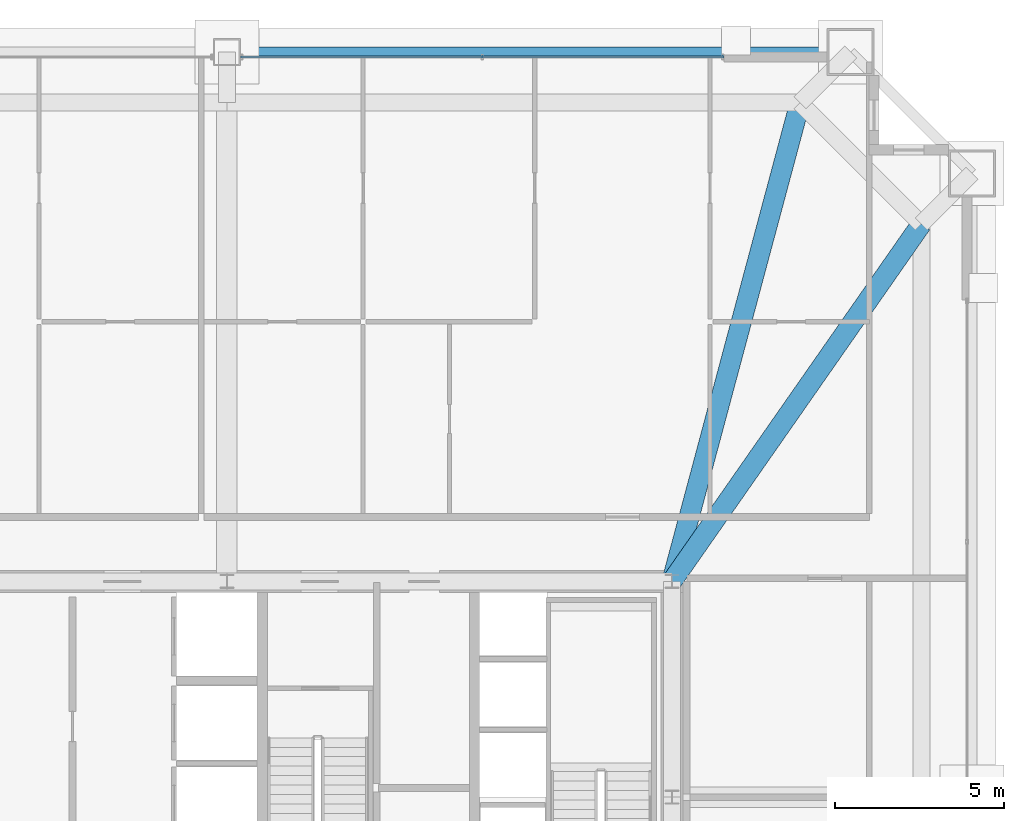
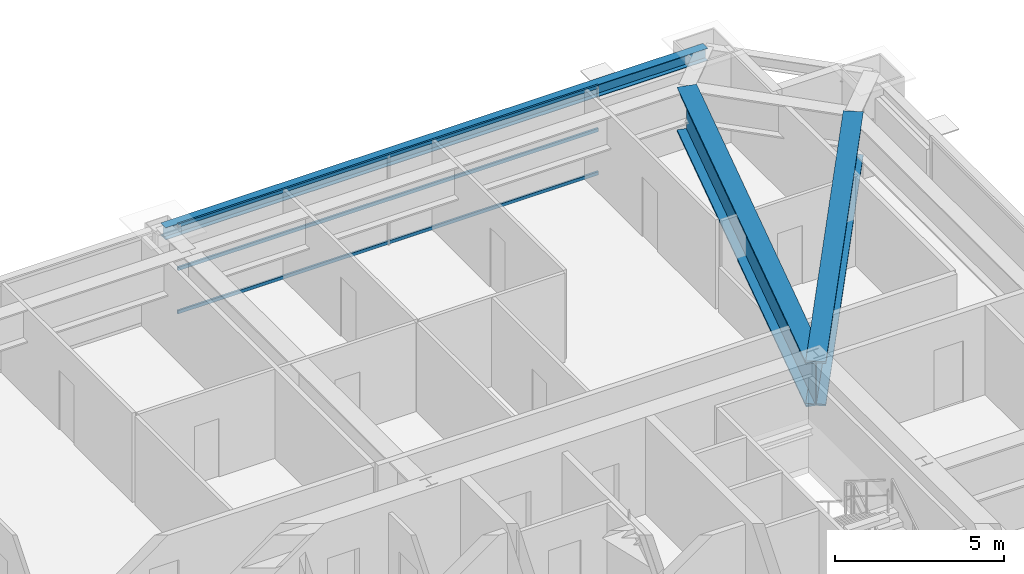
# One storey, part 31 of 39: 3 beams, 3 members, 1 element without a shape of its own.
"""IFC4 building model written with IfcOpenShell, lengths in metres."""

from ifc_helpers import new_model, si_unit, direction, frame, origin, origin_2d, place, context, subcontext, project, spatial, hollow_rectangle, i_section, extrude, source, transform, mapped, material, layer, layer_set, material_profile, profile_set, type_object, element, aggregate, save


model = new_model("IFC4")

# Units and contexts
model_context = context("Model", 3, precision=1e-05, world=origin(), true_north=direction((0.0, 1.0)))
body_context = subcontext(model_context, "Body", "Model", "MODEL_VIEW")
ifc_project = project(units=[si_unit("LENGTHUNIT", "METRE"), si_unit("AREAUNIT", "SQUARE_METRE"), si_unit("VOLUMEUNIT", "CUBIC_METRE"), si_unit("PLANEANGLEUNIT", "RADIAN"), si_unit("MASSUNIT", "GRAM", prefix="KILO"), si_unit("THERMODYNAMICTEMPERATUREUNIT", "KELVIN"), si_unit("POWERUNIT", "WATT")], contexts=[model_context])

# Site, building, storey
site_placement = place(None, origin())
site = spatial("IfcSite", under=ifc_project, at=site_placement, CompositionType="ELEMENT")
building_placement = place(site_placement, origin())
building = spatial("IfcBuilding", under=site, at=building_placement, Name="Yuzanri Waterfront Tower", CompositionType="ELEMENT")
storey_placement = place(building_placement, frame((0.0, 0.0, 216.0)))
storey = spatial("IfcBuildingStorey", under=building, at=storey_placement, Name="L57", CompositionType="ELEMENT", Elevation=216.0)

# Beams
ifc_material_1 = material(Name="Steel Q355B", Category="steel")
ifc_material_profile_1 = material_profile(ifc_material_1, i_section(OverallWidth=0.300048828125, OverallDepth=0.43994140625, WebThickness=0.010986328125, FlangeThickness=0.01806640625, at=origin_2d()), Name="HM 440x300x11x18")
ifc_profile_set_1 = profile_set([ifc_material_profile_1], Name="Steel Q355B")
beam_type_1 = type_object("IfcBeamType", Name="Perimeter Spandrel Q355B HM 440x300", PredefinedType="SPANDREL", material=ifc_profile_set_1)
shared_shape_1 = source(origin(), body_context, "Body", "SweptSolid", [
    extrude(i_section(OverallWidth=0.300048828125, OverallDepth=0.43994140625, WebThickness=0.010986328125, FlangeThickness=0.01806640625, at=origin_2d()), origin(), (0.0, 0.0, 1.0), 18.5),
])
beam_1_placement = place(storey_placement, frame((55.5, 47.89990234375, 3.0), z_axis=(-1.0, 0.0, 0.0), x_axis=(0.0, -1.0, 0.0)))
element("IfcBeam", 1, at=beam_1_placement, inside=storey, type_object=beam_type_1, Name="L57 Perimeter Spandrel N3-N2", PredefinedType="SPANDREL", context=body_context, shape_type="MappedRepresentation", body=[
    mapped(shared_shape_1, transform((0.0, 0.0, 0.0), scale=1.0)),
])
ifc_material_2 = material(Name="Steel Q420GJC", Category="steel")
ifc_material_profile_2 = material_profile(ifc_material_2, i_section(OverallWidth=0.60009765625, OverallDepth=1.60009765625, WebThickness=0.031982421875, FlangeThickness=0.06005859375, at=origin_2d()), Name="PG 1600x600x32x60")
ifc_profile_set_2 = profile_set([ifc_material_profile_2], Name="Steel Q420GJC")
beam_type_2 = type_object("IfcBeamType", Name="Ballroom Transfer Girder Q420GJC PG 1600x600", PredefinedType="USERDEFINED", material=ifc_profile_set_2)
shared_shape_2 = source(origin(), body_context, "Body", "SweptSolid", [
    extrude(i_section(OverallWidth=0.60009765625, OverallDepth=1.60009765625, WebThickness=0.031982421875, FlangeThickness=0.06005859375, at=origin_2d()), origin(), (0.0, 0.0, 1.0), 14.69970703125),
])
beam_2_placement = place(storey_placement, frame((50.199951171875, 32.199951171875, 2.419921875), z_axis=(0.258513312202, 0.966007695318, 0.0), x_axis=(-0.966007695318, 0.258513312202, 0.0)))
element("IfcBeam", 2, at=beam_2_placement, inside=storey, type_object=beam_type_2, Name="L57 Setback Inner Transfer N3", ObjectType="GIRDER", PredefinedType="USERDEFINED", context=body_context, shape_type="MappedRepresentation", body=[
    mapped(shared_shape_2, transform((0.0, 0.0, 0.0), scale=1.0)),
])
shared_shape_3 = source(origin(), body_context, "Body", "SweptSolid", [
    extrude(i_section(OverallWidth=0.60009765625, OverallDepth=1.60009765625, WebThickness=0.031982421875, FlangeThickness=0.06005859375, at=origin_2d()), origin(), (0.0, 0.0, 1.0), 12.927734375),
])
beam_3_placement = place(storey_placement, frame((50.199951171875, 32.199951171875, 2.419921875), z_axis=(0.572427640484, 0.819955240492, 0.0), x_axis=(-0.819955240492, 0.572427640484, 0.0)))
element("IfcBeam", 3, at=beam_3_placement, inside=storey, type_object=beam_type_2, Name="L57 Setback Inner Transfer E3", ObjectType="GIRDER", PredefinedType="USERDEFINED", context=body_context, shape_type="MappedRepresentation", body=[
    mapped(shared_shape_3, transform((0.0, 0.0, 0.0), scale=1.0)),
])

# Curtain wall, members
ifc_material_3 = material(Name="Anodized Architectural Bronze", Category="metal")
ifc_layer = layer(ifc_material_3, 0.159912109375)
ifc_layer_set = layer_set([ifc_layer], Name="Anodized Architectural Bronze")
curtain_wall_type = type_object("IfcCurtainWallType", Name="Anodized Bronze Mid-Rise Residential Acoustic Unitized Curtain Wall 7200", PredefinedType="NOTDEFINED", material=ifc_layer_set)
curtain_wall_placement = place(storey_placement, origin())
curtain_wall = element("IfcCurtainWall", 4, at=curtain_wall_placement, inside=storey, type_object=curtain_wall_type, Name="L57 Curtain Wall CW-L57-NR", PredefinedType="NOTDEFINED")
ifc_material_4 = material(Name="Anodized Architectural Bronze", Category="metal")
ifc_material_profile_3 = material_profile(ifc_material_4, hollow_rectangle(XDim=0.06494140625, YDim=0.1201171875, WallThickness=0.00341796875, at=origin_2d()), Name="CWT 65x120")
ifc_profile_set_3 = profile_set([ifc_material_profile_3], Name="Anodized Architectural Bronze")
member_type = type_object("IfcMemberType", Name="Anodized Bronze Secondary Curtain-Wall Transom 65x120", PredefinedType="USERDEFINED", material=ifc_profile_set_3)
shared_shape_4 = source(origin(), body_context, "Body", "SweptSolid", [
    extrude(hollow_rectangle(XDim=0.06494140625, YDim=0.1201171875, WallThickness=0.00341796875, at=origin_2d()), origin(), (0.0, 0.0, 1.0), 14.35009765625),
])
member_1_placement = place(storey_placement, frame((37.39990234375, 47.75, 0.050048828125), z_axis=(1.0, 0.0, 0.0), x_axis=(0.0, 1.0, 0.0)))
member_1 = element("IfcMember", 5, at=member_1_placement, type_object=member_type, Name="CW-L57-NR Transom 1", ObjectType="TRANSOM", PredefinedType="USERDEFINED", context=body_context, shape_type="MappedRepresentation", body=[
    mapped(shared_shape_4, transform((0.0, 0.0, 0.0), scale=1.0)),
])
member_2_placement = place(storey_placement, frame((37.39990234375, 47.75, 1.610107421875), z_axis=(1.0, 0.0, 0.0), x_axis=(0.0, 1.0, 0.0)))
member_2 = element("IfcMember", 6, at=member_2_placement, type_object=member_type, Name="CW-L57-NR Transom 2", ObjectType="TRANSOM", PredefinedType="USERDEFINED", context=body_context, shape_type="MappedRepresentation", body=[
    mapped(shared_shape_4, transform((0.0, 0.0, 0.0), scale=1.0)),
])
member_3_placement = place(storey_placement, frame((37.39990234375, 47.75, 3.169921875), z_axis=(1.0, 0.0, 0.0), x_axis=(0.0, 1.0, 0.0)))
member_3 = element("IfcMember", 7, at=member_3_placement, type_object=member_type, Name="CW-L57-NR Transom 3", ObjectType="TRANSOM", PredefinedType="USERDEFINED", context=body_context, shape_type="MappedRepresentation", body=[
    mapped(shared_shape_4, transform((0.0, 0.0, 0.0), scale=1.0)),
])
aggregate(curtain_wall, [member_1, member_2, member_3])

save(model, "model.ifc")
